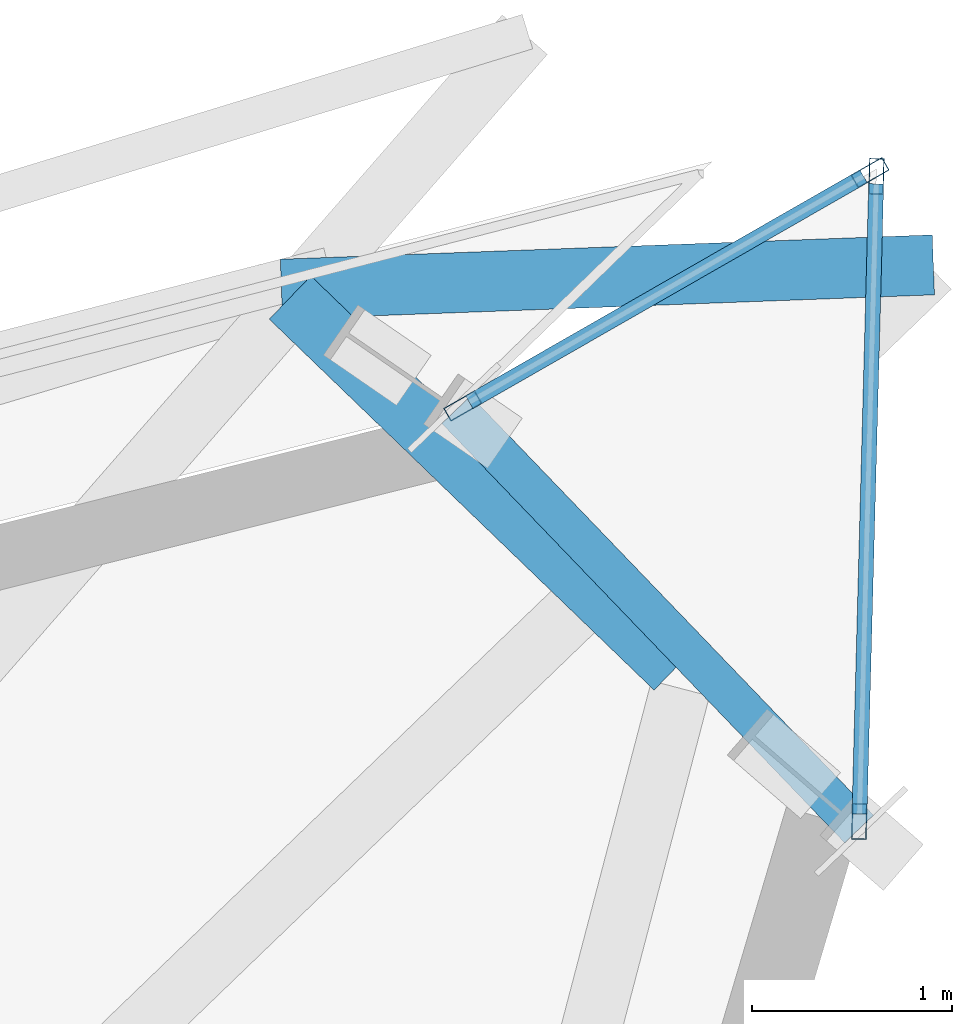
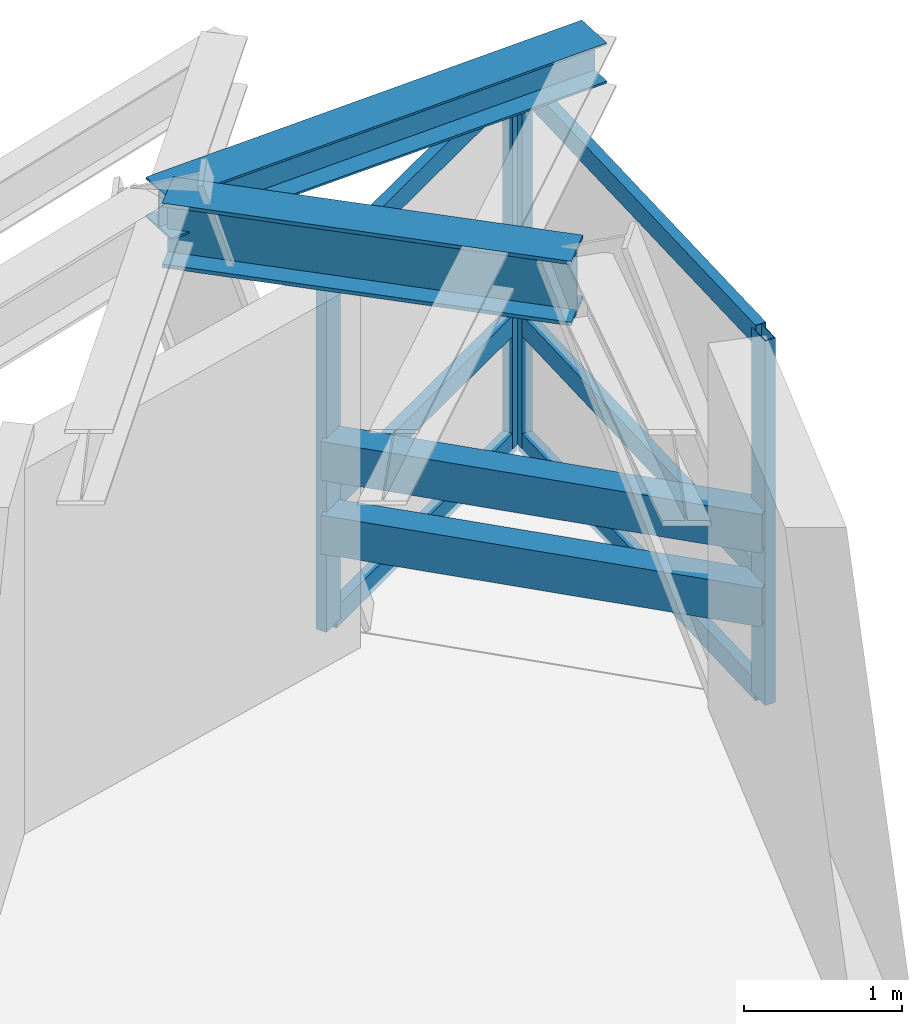
# One storey, part 5 of 14: 12 members, 2 beams, 2 elements without a shape of their own.
"""IFC4 building model written with IfcOpenShell, lengths in metres."""

from ifc_helpers import new_model, si_unit, direction, frame, origin, origin_2d, place, context, subcontext, project, spatial, hollow_rectangle, i_section, extrude, source, transform, mapped, material, material_profile, profile_set, type_object, element, aggregate, save


model = new_model("IFC4")

# Units and contexts
model_context = context("Model", 3, precision=1e-05, world=origin(), true_north=direction((0.0, 1.0)))
body_context = subcontext(model_context, "Body", "Model", "MODEL_VIEW")
ifc_project = project(units=[si_unit("LENGTHUNIT", "METRE"), si_unit("AREAUNIT", "SQUARE_METRE"), si_unit("VOLUMEUNIT", "CUBIC_METRE"), si_unit("PLANEANGLEUNIT", "RADIAN"), si_unit("MASSUNIT", "GRAM", prefix="KILO")], contexts=[model_context])

# Site, building, storey
site_placement = place(None, origin())
site = spatial("IfcSite", under=ifc_project, at=site_placement, CompositionType="ELEMENT")
building_placement = place(site_placement, origin())
building = spatial("IfcBuilding", under=site, at=building_placement, Name="Olszyna Solenne Hotel", CompositionType="ELEMENT")
storey_placement = place(building_placement, frame((0.0, 0.0, 220.25)))
storey = spatial("IfcBuildingStorey", under=building, at=storey_placement, Name="L58", CompositionType="ELEMENT", Elevation=220.25)

# Members
ifc_material_1 = material(Name="Steel S355J2", Category="steel")
ifc_material_profile_1 = material_profile(ifc_material_1, hollow_rectangle(XDim=0.199951171875, YDim=0.300048828125, WallThickness=0.01611328125, at=origin_2d()), Name="RHS 300x200x16", Category="load-bearing")
ifc_profile_set_1 = profile_set([ifc_material_profile_1], Name="Steel S355J2")
member_type_1 = type_object("IfcMemberType", Name="CH-PR1", PredefinedType="CHORD", material=ifc_profile_set_1)
shared_shape_1 = source(origin(), body_context, "Body", "SweptSolid", [
    extrude(hollow_rectangle(XDim=0.199951171875, YDim=0.300048828125, WallThickness=0.01611328125, at=origin_2d()), origin(), (0.0, 0.0, 1.0), 2.907958984375),
])
for number, where, z_axis, x_axis, name in (
    (1, (59.65576171875, 45.597900390625, 1.35009765625), (-0.692818389929, 0.721112112349, 0.0), (-0.721112112349, -0.692818389929, 0.0), "Glass-prism tie chord CH-PR1 M-L58-PR1"),
    (2, (59.65576171875, 45.597900390625, 0.780029296875), (-0.692818389929, 0.721112112349, 0.0), (-0.721112112349, -0.692818389929, 0.0), "Glass-prism tie chord CH-PR1 M-L58-PR2"),
):
    element("IfcMember", number, at=place(storey_placement, frame(where, z_axis=z_axis, x_axis=x_axis)), inside=storey, type_object=member_type_1, Name=name, PredefinedType="CHORD", context=body_context, shape_type="MappedRepresentation", body=[
        mapped(shared_shape_1, transform((0.0, 0.0, 0.0), x_axis=(1.0, 0.0, 0.0), y_axis=(0.0, 1.0, 0.0), z_axis=(0.0, 0.0, 1.0), scale=1.0)),
    ])

# Beams
ifc_material_profile_2 = material_profile(ifc_material_1, i_section(OverallWidth=0.300048828125, OverallDepth=0.5, WebThickness=0.014404296875, FlangeThickness=0.028076171875, at=origin_2d()), Name="HEB 500", Category="load-bearing")
ifc_profile_set_2 = profile_set([ifc_material_profile_2], Name="Steel S355J2")
beam_type_1 = type_object("IfcBeamType", Name="BM-S3", PredefinedType="BEAM", material=ifc_profile_set_2)
shared_shape_2 = source(origin(), body_context, "Body", "SweptSolid", [
    extrude(i_section(OverallWidth=0.300048828125, OverallDepth=0.5, WebThickness=0.014404296875, FlangeThickness=0.028076171875, at=origin_2d()), origin(), (0.0, 0.0, 1.0), 2.673095703125),
])
beam_1_placement = place(storey_placement, frame((58.73486328125, 46.400390625, 3.080078125), z_axis=(-0.719956743572, 0.69401893878, 0.0), x_axis=(-0.69401893878, -0.719956743572, 0.0)))
element("IfcBeam", 3, at=beam_1_placement, inside=storey, type_object=beam_type_1, Name="Perimeter spandrel beam BM-S3 B-L58-1708", PredefinedType="BEAM", context=body_context, shape_type="MappedRepresentation", body=[
    mapped(shared_shape_2, transform((0.0, 0.0, 0.0), x_axis=(1.0, 0.0, 0.0), y_axis=(0.0, 1.0, 0.0), z_axis=(0.0, 0.0, 1.0), scale=1.0)),
])
ifc_material_profile_3 = material_profile(ifc_material_1, i_section(OverallWidth=0.300048828125, OverallDepth=0.31005859375, WebThickness=0.009033203125, FlangeThickness=0.015380859375, at=origin_2d()), Name="HEA 320", Category="load-bearing")
ifc_profile_set_3 = profile_set([ifc_material_profile_3], Name="Steel S355J2")
beam_type_2 = type_object("IfcBeamType", Name="BM-G3", PredefinedType="BEAM", material=ifc_profile_set_3)
shared_shape_3 = source(origin(), body_context, "Body", "SweptSolid", [
    extrude(i_section(OverallWidth=0.300048828125, OverallDepth=0.31005859375, WebThickness=0.009033203125, FlangeThickness=0.015380859375, at=origin_2d()), origin(), (0.0, 0.0, 1.0), 3.26220703125),
])
beam_2_placement = place(storey_placement, frame((56.76708984375, 48.297119140625, 3.175048828125), z_axis=(0.999302476544, 0.03734381306, 0.0), x_axis=(-0.03734381306, 0.999302476544, 0.0)))
element("IfcBeam", 4, at=beam_2_placement, inside=storey, type_object=beam_type_2, Name="Prism side edge beam BM-G3 B-L58-1729", PredefinedType="BEAM", context=body_context, shape_type="MappedRepresentation", body=[
    mapped(shared_shape_3, transform((0.0, 0.0, 0.0), x_axis=(1.0, 0.0, 0.0), y_axis=(0.0, 1.0, 0.0), z_axis=(0.0, 0.0, 1.0), scale=1.0)),
])

# Curtain wall, members
ifc_material_2 = material(Name="Anodised bronze aluminium", Category="aluminium")
curtain_wall_type = type_object("IfcCurtainWallType", Name="CW-SYS-5", PredefinedType="NOTDEFINED", material=ifc_material_2)
curtain_wall_1_placement = place(storey_placement, origin())
curtain_wall_1 = element("IfcCurtainWall", 5, at=curtain_wall_1_placement, inside=storey, type_object=curtain_wall_type, Name="Unitised curtain wall CW-SYS-5 CW-L58-02", PredefinedType="NOTDEFINED")
ifc_material_profile_4 = material_profile(ifc_material_2, hollow_rectangle(XDim=0.074951171875, YDim=0.179931640625, WallThickness=0.00439453125, at=origin_2d()), Name="MULL 180x75x4.5", Category="load-bearing")
ifc_profile_set_4 = profile_set([ifc_material_profile_4], Name="Anodised bronze aluminium")
member_type_2 = type_object("IfcMemberType", Name="CW-M2", PredefinedType="MULLION", material=ifc_profile_set_4)
shared_shape_4 = source(origin(), body_context, "Body", "SweptSolid", [
    extrude(hollow_rectangle(XDim=0.074951171875, YDim=0.179931640625, WallThickness=0.00439453125, at=origin_2d()), origin(), (0.0, 0.0, 1.0), 2.822021484375),
])
member_1_placement = place(storey_placement, frame((57.673828125, 47.71337890625, 0.0), z_axis=(0.0, 0.0, 1.0), x_axis=(-0.49705889803, 0.867716803969, 0.0)))
member_1 = element("IfcMember", 6, at=member_1_placement, type_object=member_type_2, Name="Curtain-wall mullion CW-M2 CM-L58-02-01", PredefinedType="MULLION", context=body_context, shape_type="MappedRepresentation", body=[
    mapped(shared_shape_4, transform((0.0, 0.0, 0.0), x_axis=(1.0, 0.0, 0.0), y_axis=(0.0, 1.0, 0.0), z_axis=(0.0, 0.0, 1.0), scale=1.0)),
])
member_2_placement = place(storey_placement, frame((59.710693359375, 48.88037109375, 0.0), z_axis=(0.0, 0.0, 1.0), x_axis=(-0.49705889803, 0.867716803969, 0.0)))
member_2 = element("IfcMember", 7, at=member_2_placement, type_object=member_type_2, Name="Curtain-wall mullion CW-M2 CM-L58-02-02", PredefinedType="MULLION", context=body_context, shape_type="MappedRepresentation", body=[
    mapped(shared_shape_4, transform((0.0, 0.0, 0.0), x_axis=(1.0, 0.0, 0.0), y_axis=(0.0, 1.0, 0.0), z_axis=(0.0, 0.0, 1.0), scale=1.0)),
])

curtain_wall_2_placement = place(storey_placement, origin())
curtain_wall_2 = element("IfcCurtainWall", 8, at=curtain_wall_2_placement, inside=storey, type_object=curtain_wall_type, Name="Unitised curtain wall CW-SYS-5 CW-L58-03", PredefinedType="NOTDEFINED")
member_3_placement = place(storey_placement, frame((59.65673828125, 45.635498046875, 0.0), z_axis=(0.0, 0.0, 1.0), x_axis=(-0.999648871343, 0.026497811653, 0.0)))
member_3 = element("IfcMember", 9, at=member_3_placement, type_object=member_type_2, Name="Curtain-wall mullion CW-M2 CM-L58-03-01", PredefinedType="MULLION", context=body_context, shape_type="MappedRepresentation", body=[
    mapped(shared_shape_4, transform((0.0, 0.0, 0.0), x_axis=(1.0, 0.0, 0.0), y_axis=(0.0, 1.0, 0.0), z_axis=(0.0, 0.0, 1.0), scale=1.0)),
])
member_4_placement = place(storey_placement, frame((59.7421875, 48.861328125, 0.0), z_axis=(0.0, 0.0, 1.0), x_axis=(-0.999648871343, 0.026497811653, 0.0)))
member_4 = element("IfcMember", 10, at=member_4_placement, type_object=member_type_2, Name="Curtain-wall mullion CW-M2 CM-L58-03-02", PredefinedType="MULLION", context=body_context, shape_type="MappedRepresentation", body=[
    mapped(shared_shape_4, transform((0.0, 0.0, 0.0), x_axis=(1.0, 0.0, 0.0), y_axis=(0.0, 1.0, 0.0), z_axis=(0.0, 0.0, 1.0), scale=1.0)),
])

# Member
ifc_material_profile_5 = material_profile(ifc_material_2, hollow_rectangle(XDim=0.074951171875, YDim=0.159912109375, WallThickness=0.00390625, at=origin_2d()), Name="TRAN 160x75x4", Category="load-bearing")
ifc_profile_set_5 = profile_set([ifc_material_profile_5], Name="Anodised bronze aluminium")
member_type_3 = type_object("IfcMemberType", Name="CW-T1", PredefinedType="USERDEFINED", material=ifc_profile_set_5)
shared_shape_5 = source(origin(), body_context, "Body", "SweptSolid", [
    extrude(hollow_rectangle(XDim=0.074951171875, YDim=0.159912109375, WallThickness=0.00390625, at=origin_2d()), origin(), (0.0, 0.0, 1.0), 2.2724609375),
])
member_5_placement = place(storey_placement, frame((57.706298828125, 47.732177734375, 0.03759765625), z_axis=(0.867753476972, 0.496994872412, 0.0), x_axis=(-0.496994872412, 0.867753476972, 0.0)))
member_5 = element("IfcMember", 11, at=member_5_placement, type_object=member_type_3, Name="Curtain-wall transom CW-T1 CT-L58-02-01", ObjectType="TRANSOM", PredefinedType="USERDEFINED", context=body_context, shape_type="MappedRepresentation", body=[
    mapped(shared_shape_5, transform((0.0, 0.0, 0.0), x_axis=(1.0, 0.0, 0.0), y_axis=(0.0, 1.0, 0.0), z_axis=(0.0, 0.0, 1.0), scale=1.0)),
])

member_6_placement = place(storey_placement, frame((57.706298828125, 47.732177734375, 0.949951171875), z_axis=(0.867753476972, 0.496994872412, 0.0), x_axis=(-0.496994872412, 0.867753476972, 0.0)))
member_6 = element("IfcMember", 12, at=member_6_placement, type_object=member_type_3, Name="Curtain-wall transom CW-T1 CT-L58-02-02", ObjectType="TRANSOM", PredefinedType="USERDEFINED", context=body_context, shape_type="MappedRepresentation", body=[
    mapped(shared_shape_5, transform((0.0, 0.0, 0.0), x_axis=(1.0, 0.0, 0.0), y_axis=(0.0, 1.0, 0.0), z_axis=(0.0, 0.0, 1.0), scale=1.0)),
])

member_7_placement = place(storey_placement, frame((57.706298828125, 47.732177734375, 2.784423828125), z_axis=(0.867753476972, 0.496994872412, 0.0), x_axis=(-0.496994872412, 0.867753476972, 0.0)))
member_7 = element("IfcMember", 13, at=member_7_placement, type_object=member_type_3, Name="Curtain-wall transom CW-T1 CT-L58-02-03", ObjectType="TRANSOM", PredefinedType="USERDEFINED", context=body_context, shape_type="MappedRepresentation", body=[
    mapped(shared_shape_5, transform((0.0, 0.0, 0.0), x_axis=(1.0, 0.0, 0.0), y_axis=(0.0, 1.0, 0.0), z_axis=(0.0, 0.0, 1.0), scale=1.0)),
])

aggregate(curtain_wall_1, [member_1, member_2, member_5, member_6, member_7])

shared_shape_6 = source(origin(), body_context, "Body", "SweptSolid", [
    extrude(hollow_rectangle(XDim=0.074951171875, YDim=0.159912109375, WallThickness=0.00390625, at=origin_2d()), origin(), (0.0, 0.0, 1.0), 3.15234375),
])
member_8_placement = place(storey_placement, frame((59.65771484375, 45.6728515625, 0.03759765625), z_axis=(0.026487952534, 0.999649132631, 0.0), x_axis=(-0.999649132631, 0.026487952534, 0.0)))
member_8 = element("IfcMember", 14, at=member_8_placement, type_object=member_type_3, Name="Curtain-wall transom CW-T1 CT-L58-03-01", ObjectType="TRANSOM", PredefinedType="USERDEFINED", context=body_context, shape_type="MappedRepresentation", body=[
    mapped(shared_shape_6, transform((0.0, 0.0, 0.0), x_axis=(1.0, 0.0, 0.0), y_axis=(0.0, 1.0, 0.0), z_axis=(0.0, 0.0, 1.0), scale=1.0)),
])

member_9_placement = place(storey_placement, frame((59.65771484375, 45.6728515625, 0.949951171875), z_axis=(0.026487952534, 0.999649132631, 0.0), x_axis=(-0.999649132631, 0.026487952534, 0.0)))
member_9 = element("IfcMember", 15, at=member_9_placement, type_object=member_type_3, Name="Curtain-wall transom CW-T1 CT-L58-03-02", ObjectType="TRANSOM", PredefinedType="USERDEFINED", context=body_context, shape_type="MappedRepresentation", body=[
    mapped(shared_shape_6, transform((0.0, 0.0, 0.0), x_axis=(1.0, 0.0, 0.0), y_axis=(0.0, 1.0, 0.0), z_axis=(0.0, 0.0, 1.0), scale=1.0)),
])

member_10_placement = place(storey_placement, frame((59.65771484375, 45.6728515625, 2.784423828125), z_axis=(0.026487952534, 0.999649132631, 0.0), x_axis=(-0.999649132631, 0.026487952534, 0.0)))
member_10 = element("IfcMember", 16, at=member_10_placement, type_object=member_type_3, Name="Curtain-wall transom CW-T1 CT-L58-03-03", ObjectType="TRANSOM", PredefinedType="USERDEFINED", context=body_context, shape_type="MappedRepresentation", body=[
    mapped(shared_shape_6, transform((0.0, 0.0, 0.0), x_axis=(1.0, 0.0, 0.0), y_axis=(0.0, 1.0, 0.0), z_axis=(0.0, 0.0, 1.0), scale=1.0)),
])

aggregate(curtain_wall_2, [member_3, member_4, member_8, member_9, member_10])

save(model, "model.ifc")
